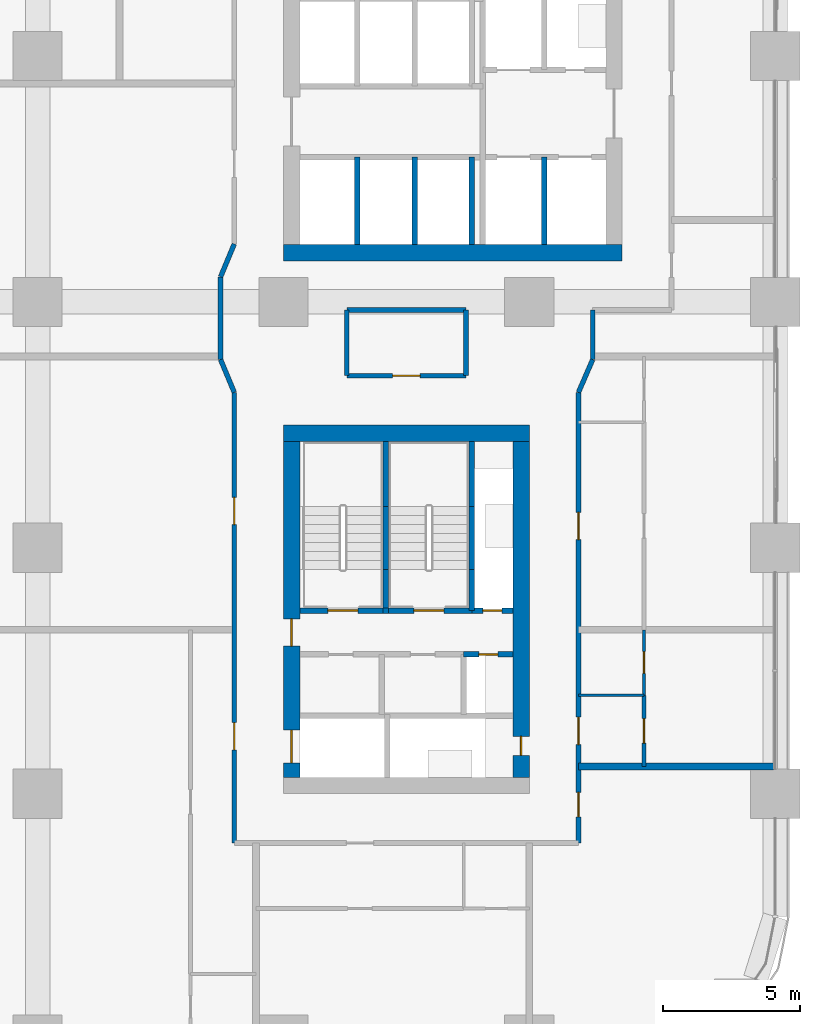
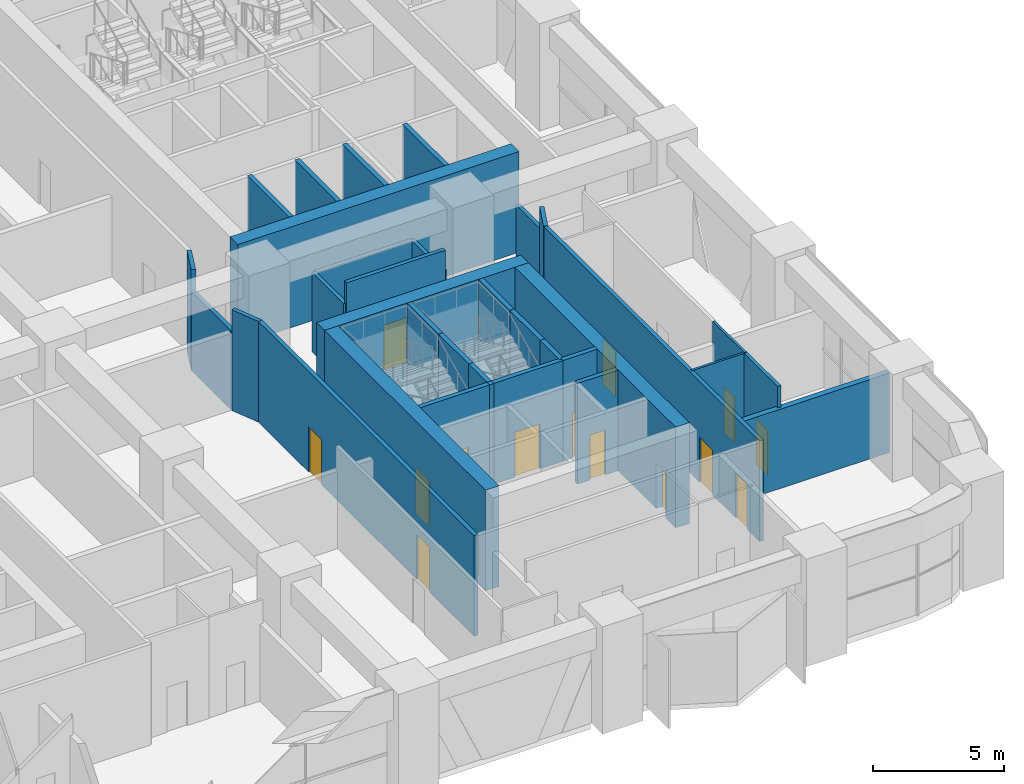
# One storey, part 17 of 26: 34 walls, 15 doors, 15 openings.
"""IFC4 building model written with IfcOpenShell, lengths in metres."""

from ifc_helpers import new_model, si_unit, direction, frame, frame_2d, origin, place, context, subcontext, project, spatial, rectangle, extrude, material, layer, layer_set, type_object, element, fill, save


model = new_model("IFC4")

# Units and contexts
model_context = context("Model", 3, precision=1e-05, world=origin(), true_north=direction((0.0, 1.0)))
body_context = subcontext(model_context, "Body", "Model", "MODEL_VIEW")
ifc_project = project(units=[si_unit("LENGTHUNIT", "METRE"), si_unit("AREAUNIT", "SQUARE_METRE"), si_unit("VOLUMEUNIT", "CUBIC_METRE"), si_unit("PLANEANGLEUNIT", "RADIAN"), si_unit("MASSUNIT", "GRAM", prefix="KILO")], contexts=[model_context])

# Site, building, storey
site_placement = place(None, origin())
site = spatial("IfcSite", under=ifc_project, at=site_placement, CompositionType="ELEMENT")
building_placement = place(site_placement, origin())
building = spatial("IfcBuilding", under=site, at=building_placement, Name="Tessera Arch", CompositionType="ELEMENT")
storey_placement = place(building_placement, frame((0.0, 0.0, 72.800048828125)))
storey = spatial("IfcBuildingStorey", under=building, at=storey_placement, Name="L16", CompositionType="ELEMENT", Elevation=72.800048828125)

# Walls
ifc_material_1 = material(Name="Concrete C70/85", Category="concrete")
ifc_layer_1 = layer(ifc_material_1, 0.60009765625)
ifc_layer_set_1 = layer_set([ifc_layer_1], Name="Core shell wall 600 C70-85")
wall_type_1 = type_object("IfcWallType", Name="Core shell wall 600 C70-85", PredefinedType="SHEAR", material=ifc_layer_set_1)
wall_1_placement = place(storey_placement, frame((36.0, 28.800048828125, 0.0), z_axis=(0.0, 0.0, 1.0), x_axis=(1.0, 0.0, 0.0)))
element("IfcWall", 1, at=wall_1_placement, inside=storey, type_object=wall_type_1, Name="L16 C1 core wall S", PredefinedType="SHEAR", context=body_context, shape_type="SweptSolid", body=[
    extrude(rectangle(XDim=12.39990234375, YDim=0.60009765625, at=frame_2d((6.199951171875, 0.0))), origin(), (0.0, 0.0, 1.0), 4.699951171875),
])
wall_2_placement = place(storey_placement, frame((36.0, 22.199951171875, 0.0), z_axis=(0.0, 0.0, 1.0), x_axis=(1.0, 0.0, 0.0)))
element("IfcWall", 2, at=wall_2_placement, inside=storey, type_object=wall_type_1, Name="L16 C3 core wall N", PredefinedType="SHEAR", context=body_context, shape_type="SweptSolid", body=[
    extrude(rectangle(XDim=9.0, YDim=0.60009765625, at=frame_2d((4.5, 0.0))), origin(), (0.0, 0.0, 1.0), 4.699951171875),
])

# Wall, openings, doors
wall_3_placement = place(storey_placement, frame((36.300048828125, 9.60009765625, 0.0), z_axis=(0.0, 0.0, 1.0), x_axis=(0.0, 1.0, 0.0)))
wall_3 = element("IfcWall", 3, at=wall_3_placement, inside=storey, type_object=wall_type_1, Name="L16 C3 core wall W", PredefinedType="SHEAR", context=body_context, shape_type="SweptSolid", body=[
    extrude(rectangle(XDim=12.2998046875, YDim=0.60009765625, at=frame_2d((6.14990234375, 0.0))), origin(), (0.0, 0.0, 1.0), 4.699951171875),
])
opening_1_placement = place(wall_3_placement, frame((0.52490234375, 0.0, 0.0)))
opening_1 = element("IfcOpeningElement", 4, at=opening_1_placement, cuts=wall_3, Name="Opening L16-C32", PredefinedType="OPENING", context=body_context, shape_type="SweptSolid", body=[
    extrude(rectangle(XDim=1.199951171875, YDim=2.10009765625, at=frame_2d((0.60009765625, 1.050048828125))), frame((0.0, 0.31005859375, 0.0), z_axis=(0.0, -1.0, 0.0), x_axis=(1.0, 0.0, 0.0)), (0.0, 0.0, 1.0), 0.6201171875),
])
opening_2_placement = place(wall_3_placement, frame((4.800048828125, 0.0, 0.0)))
opening_2 = element("IfcOpeningElement", 5, at=opening_2_placement, cuts=wall_3, Name="Opening L16-C38", PredefinedType="OPENING", context=body_context, shape_type="SweptSolid", body=[
    extrude(rectangle(XDim=1.0, YDim=2.10009765625, at=frame_2d((0.5, 1.050048828125))), frame((0.0, 0.31005859375, 0.0), z_axis=(0.0, -1.0, 0.0), x_axis=(1.0, 0.0, 0.0)), (0.0, 0.0, 1.0), 0.6201171875),
])
ifc_material_2 = material(Name="Steel door leaf", Category="steel")
door_type_1 = type_object("IfcDoorType", Name="Corridor door FD60 1000 x 2100", OperationType="SINGLE_SWING_LEFT", PredefinedType="DOOR", material=ifc_material_2)
door_1_placement = place(opening_2_placement, origin())
door_1 = element("IfcDoor", 6, at=door_1_placement, inside=storey, type_object=door_type_1, Name="L16 C3 door 7 C38 type D12", OperationType="SINGLE_SWING_LEFT", OverallHeight=2.10009765625, OverallWidth=1.0, PredefinedType="DOOR", context=body_context, shape_type="SweptSolid", body=[
    extrude(rectangle(XDim=1.0, YDim=2.10009765625, at=frame_2d((0.5, 1.050048828125))), frame((0.0, 0.02490234375, 0.0), z_axis=(0.0, -1.0, 0.0), x_axis=(1.0, 0.0, 0.0)), (0.0, 0.0, 1.0), 0.050048828125),
])
fill(opening_2, door_1)
ifc_material_3 = material(Name="Stainless steel AISI 304", Category="steel")
door_type_2 = type_object("IfcDoorType", Name="Sliding landing door 1200 x 2100", OperationType="SLIDING_TO_LEFT", PredefinedType="DOOR", material=ifc_material_3)
door_2_placement = place(opening_1_placement, origin())
door_2 = element("IfcDoor", 7, at=door_2_placement, inside=storey, type_object=door_type_2, Name="L16 SV1 lift landing door C32 type LD", OperationType="SLIDING_TO_LEFT", OverallHeight=2.10009765625, OverallWidth=1.199951171875, PredefinedType="DOOR", context=body_context, shape_type="SweptSolid", body=[
    extrude(rectangle(XDim=1.199951171875, YDim=2.10009765625, at=frame_2d((0.60009765625, 1.050048828125))), frame((0.0, 0.02490234375, 0.0), z_axis=(0.0, -1.0, 0.0), x_axis=(1.0, 0.0, 0.0)), (0.0, 0.0, 1.0), 0.050048828125),
])
fill(opening_1, door_2)

# Wall, opening, door
wall_4_placement = place(storey_placement, frame((44.699951171875, 9.60009765625, 0.0), z_axis=(0.0, 0.0, 1.0), x_axis=(0.0, 1.0, 0.0)))
wall_4 = element("IfcWall", 8, at=wall_4_placement, inside=storey, type_object=wall_type_1, Name="L16 C3 core wall E", PredefinedType="SHEAR", context=body_context, shape_type="SweptSolid", body=[
    extrude(rectangle(XDim=12.2998046875, YDim=0.60009765625, at=frame_2d((6.14990234375, 0.0))), origin(), (0.0, 0.0, 1.0), 4.699951171875),
])
opening_3_placement = place(wall_4_placement, frame((0.800048828125, 0.0, 0.0)))
opening_3 = element("IfcOpeningElement", 9, at=opening_3_placement, cuts=wall_4, Name="Opening L16-C37", PredefinedType="OPENING", context=body_context, shape_type="SweptSolid", body=[
    extrude(rectangle(XDim=0.699951171875, YDim=2.10009765625, at=frame_2d((0.35009765625, 1.050048828125))), frame((0.0, 0.31005859375, 0.0), z_axis=(0.0, -1.0, 0.0), x_axis=(1.0, 0.0, 0.0)), (0.0, 0.0, 1.0), 0.6201171875),
])
ifc_material_4 = material(Name="Steel door leaf", Category="steel")
door_type_3 = type_object("IfcDoorType", Name="Service shaft door FD60 700 x 2100", OperationType="SINGLE_SWING_LEFT", PredefinedType="DOOR", material=ifc_material_4)
door_3_placement = place(opening_3_placement, origin())
door_3 = element("IfcDoor", 10, at=door_3_placement, inside=storey, type_object=door_type_3, Name="L16 C3 door 6 C37 type D07", OperationType="SINGLE_SWING_LEFT", OverallHeight=2.10009765625, OverallWidth=0.699951171875, PredefinedType="DOOR", context=body_context, shape_type="SweptSolid", body=[
    extrude(rectangle(XDim=0.699951171875, YDim=2.10009765625, at=frame_2d((0.35009765625, 1.050048828125))), frame((0.0, 0.02490234375, 0.0), z_axis=(0.0, -1.0, 0.0), x_axis=(1.0, 0.0, 0.0)), (0.0, 0.0, 1.0), 0.050048828125),
])
fill(opening_3, door_3)

ifc_material_5 = material(Name="Gypsum board on deep steel stud with mineral wool", Category="steel")
ifc_layer_2 = layer(ifc_material_5, 0.175048828125)
ifc_layer_set_2 = layer_set([ifc_layer_2], Name="Corridor wall 175 EI 60")
wall_type_2 = type_object("IfcWallType", Name="Corridor wall 175 EI 60", PredefinedType="PARTITIONING", material=ifc_layer_set_2)
wall_5_placement = place(storey_placement, frame((38.320068359375, 24.300048828125, 0.0), z_axis=(0.0, 0.0, 1.0), x_axis=(1.0, 0.0, 0.0)))
wall_5 = element("IfcWall", 11, at=wall_5_placement, inside=storey, type_object=wall_type_2, Name="L16 partition 4", PredefinedType="PARTITIONING", context=body_context, shape_type="SweptSolid", body=[
    extrude(rectangle(XDim=4.35986328125, YDim=0.175048828125, at=frame_2d((2.179931640625, 0.0))), origin(), (0.0, 0.0, 1.0), 4.699951171875),
])
opening_4_placement = place(wall_5_placement, frame((1.679931640625, 0.0, 0.0)))
opening_4 = element("IfcOpeningElement", 12, at=opening_4_placement, cuts=wall_5, Name="Opening L16-D029", PredefinedType="OPENING", context=body_context, shape_type="SweptSolid", body=[
    extrude(rectangle(XDim=1.0, YDim=2.10009765625, at=frame_2d((0.5, 1.050048828125))), frame((0.0, 0.097412109375, 0.0), z_axis=(0.0, -1.0, 0.0), x_axis=(1.0, 0.0, 0.0)), (0.0, 0.0, 1.0), 0.195068359375),
])
ifc_material_6 = material(Name="Fire-rated door leaf")
door_type_4 = type_object("IfcDoorType", Name="Entrance door FD30S 1000 x 2100", OperationType="SINGLE_SWING_LEFT", PredefinedType="DOOR", material=ifc_material_6)
door_4_placement = place(opening_4_placement, origin())
door_4 = element("IfcDoor", 13, at=door_4_placement, inside=storey, type_object=door_type_4, Name="L16 door D029 type D03", OperationType="SINGLE_SWING_LEFT", OverallHeight=2.10009765625, OverallWidth=1.0, PredefinedType="DOOR", context=body_context, shape_type="SweptSolid", body=[
    extrude(rectangle(XDim=1.0, YDim=2.10009765625, at=frame_2d((0.5, 1.050048828125))), frame((0.0, 0.02490234375, 0.0), z_axis=(0.0, -1.0, 0.0), x_axis=(1.0, 0.0, 0.0)), (0.0, 0.0, 1.0), 0.050048828125),
])
fill(opening_4, door_4)

# Walls
wall_6_placement = place(storey_placement, frame((38.320068359375, 26.699951171875, 0.0), z_axis=(0.0, 0.0, 1.0), x_axis=(1.0, 0.0, 0.0)))
element("IfcWall", 14, at=wall_6_placement, inside=storey, type_object=wall_type_2, Name="L16 partition 7", PredefinedType="PARTITIONING", context=body_context, shape_type="SweptSolid", body=[
    extrude(rectangle(XDim=4.35986328125, YDim=0.175048828125, at=frame_2d((2.179931640625, 0.0))), origin(), (0.0, 0.0, 1.0), 3.699951171875),
])
wall_7_placement = place(storey_placement, frame((33.699951171875, 24.889892578125, 0.0), z_axis=(0.0, 0.0, 1.0), x_axis=(0.0, 1.0, 0.0)))
element("IfcWall", 15, at=wall_7_placement, inside=storey, type_object=wall_type_2, Name="L16 partition 19", PredefinedType="PARTITIONING", context=body_context, shape_type="SweptSolid", body=[
    extrude(rectangle(XDim=3.030029296875, YDim=0.175048828125, at=frame_2d((1.51513671875, 0.0))), origin(), (0.0, 0.0, 1.0), 3.699951171875),
])

# Wall, openings, doors
wall_8_placement = place(storey_placement, frame((34.199951171875, 7.199951171875, 0.0), z_axis=(0.0, 0.0, 1.0), x_axis=(0.0, 1.0, 0.0)))
wall_8 = element("IfcWall", 16, at=wall_8_placement, inside=storey, type_object=wall_type_2, Name="L16 partition 20", PredefinedType="PARTITIONING", context=body_context, shape_type="SweptSolid", body=[
    extrude(rectangle(XDim=16.489990234375, YDim=0.175048828125, at=frame_2d((8.2451171875, 0.0))), origin(), (0.0, 0.0, 1.0), 4.699951171875),
])
opening_5_placement = place(wall_8_placement, frame((3.39990234375, 0.0, 0.0)))
opening_5 = element("IfcOpeningElement", 17, at=opening_5_placement, cuts=wall_8, Name="Opening L16-D012", PredefinedType="OPENING", context=body_context, shape_type="SweptSolid", body=[
    extrude(rectangle(XDim=1.0, YDim=2.10009765625, at=frame_2d((0.5, 1.050048828125))), frame((0.0, 0.097412109375, 0.0), z_axis=(0.0, -1.0, 0.0), x_axis=(1.0, 0.0, 0.0)), (0.0, 0.0, 1.0), 0.195068359375),
])
opening_6_placement = place(wall_8_placement, frame((11.64501953125, 0.0, 0.0)))
opening_6 = element("IfcOpeningElement", 18, at=opening_6_placement, cuts=wall_8, Name="Opening L16-D023", PredefinedType="OPENING", context=body_context, shape_type="SweptSolid", body=[
    extrude(rectangle(XDim=1.0, YDim=2.10009765625, at=frame_2d((0.5, 1.050048828125))), frame((0.0, 0.097412109375, 0.0), z_axis=(0.0, -1.0, 0.0), x_axis=(1.0, 0.0, 0.0)), (0.0, 0.0, 1.0), 0.195068359375),
])
door_5_placement = place(opening_5_placement, origin())
door_5 = element("IfcDoor", 19, at=door_5_placement, inside=storey, type_object=door_type_4, Name="L16 door D012 type D03", OperationType="SINGLE_SWING_RIGHT", OverallHeight=2.10009765625, OverallWidth=1.0, PredefinedType="DOOR", context=body_context, shape_type="SweptSolid", body=[
    extrude(rectangle(XDim=1.0, YDim=2.10009765625, at=frame_2d((0.5, 1.050048828125))), frame((0.0, 0.02490234375, 0.0), z_axis=(0.0, -1.0, 0.0), x_axis=(1.0, 0.0, 0.0)), (0.0, 0.0, 1.0), 0.050048828125),
])
fill(opening_5, door_5)
door_6_placement = place(opening_6_placement, origin())
door_6 = element("IfcDoor", 20, at=door_6_placement, inside=storey, type_object=door_type_4, Name="L16 door D023 type D03", OperationType="SINGLE_SWING_LEFT", OverallHeight=2.10009765625, OverallWidth=1.0, PredefinedType="DOOR", context=body_context, shape_type="SweptSolid", body=[
    extrude(rectangle(XDim=1.0, YDim=2.10009765625, at=frame_2d((0.5, 1.050048828125))), frame((0.0, 0.02490234375, 0.0), z_axis=(0.0, -1.0, 0.0), x_axis=(1.0, 0.0, 0.0)), (0.0, 0.0, 1.0), 0.050048828125),
])
fill(opening_6, door_6)

# Walls
for number, where, z_axis, x_axis, name in (
    (21, (38.320068359375, 24.300048828125, 0.0), (0.0, 0.0, 1.0), (0.0, 1.0, 0.0), "L16 partition 22"),
    (22, (42.679931640625, 24.300048828125, 0.0), (0.0, 0.0, 1.0), (0.0, 1.0, 0.0), "L16 partition 23"),
):
    element("IfcWall", number, at=place(storey_placement, frame(where, z_axis=z_axis, x_axis=x_axis)), inside=storey, type_object=wall_type_2, Name=name, PredefinedType="PARTITIONING", context=body_context, shape_type="SweptSolid", body=[
        extrude(rectangle(XDim=2.39990234375, YDim=0.175048828125, at=frame_2d((1.199951171875, 0.0))), origin(), (0.0, 0.0, 1.0), 3.699951171875),
    ])

# Wall, openings, doors
wall_9_placement = place(storey_placement, frame((46.800048828125, 7.199951171875, 0.0), z_axis=(0.0, 0.0, 1.0), x_axis=(0.0, 1.0, 0.0)))
wall_9 = element("IfcWall", 23, at=wall_9_placement, inside=storey, type_object=wall_type_2, Name="L16 partition 24", PredefinedType="PARTITIONING", context=body_context, shape_type="SweptSolid", body=[
    extrude(rectangle(XDim=16.489990234375, YDim=0.175048828125, at=frame_2d((8.2451171875, 0.0))), origin(), (0.0, 0.0, 1.0), 4.699951171875),
])
opening_7_placement = place(wall_9_placement, frame((0.949951171875, 0.0, 0.0)))
opening_7 = element("IfcOpeningElement", 24, at=opening_7_placement, cuts=wall_9, Name="Opening L16-D011", PredefinedType="OPENING", context=body_context, shape_type="SweptSolid", body=[
    extrude(rectangle(XDim=0.89990234375, YDim=2.10009765625, at=frame_2d((0.449951171875, 1.050048828125))), frame((0.0, 0.097412109375, 0.0), z_axis=(0.0, -1.0, 0.0), x_axis=(1.0, 0.0, 0.0)), (0.0, 0.0, 1.0), 0.195068359375),
])
opening_8_placement = place(wall_9_placement, frame((3.60009765625, 0.0, 0.0)))
opening_8 = element("IfcOpeningElement", 25, at=opening_8_placement, cuts=wall_9, Name="Opening L16-D016", PredefinedType="OPENING", context=body_context, shape_type="SweptSolid", body=[
    extrude(rectangle(XDim=1.0, YDim=2.10009765625, at=frame_2d((0.5, 1.050048828125))), frame((0.0, 0.097412109375, 0.0), z_axis=(0.0, -1.0, 0.0), x_axis=(1.0, 0.0, 0.0)), (0.0, 0.0, 1.0), 0.195068359375),
])
opening_9_placement = place(wall_9_placement, frame((11.10009765625, 0.0, 0.0)))
opening_9 = element("IfcOpeningElement", 26, at=opening_9_placement, cuts=wall_9, Name="Opening L16-D024", PredefinedType="OPENING", context=body_context, shape_type="SweptSolid", body=[
    extrude(rectangle(XDim=1.0, YDim=2.10009765625, at=frame_2d((0.5, 1.050048828125))), frame((0.0, 0.097412109375, 0.0), z_axis=(0.0, -1.0, 0.0), x_axis=(1.0, 0.0, 0.0)), (0.0, 0.0, 1.0), 0.195068359375),
])
door_7_placement = place(opening_8_placement, origin())
door_7 = element("IfcDoor", 27, at=door_7_placement, inside=storey, type_object=door_type_4, Name="L16 door D016 type D03", OperationType="SINGLE_SWING_LEFT", OverallHeight=2.10009765625, OverallWidth=1.0, PredefinedType="DOOR", context=body_context, shape_type="SweptSolid", body=[
    extrude(rectangle(XDim=1.0, YDim=2.10009765625, at=frame_2d((0.5, 1.050048828125))), frame((0.0, 0.02490234375, 0.0), z_axis=(0.0, -1.0, 0.0), x_axis=(1.0, 0.0, 0.0)), (0.0, 0.0, 1.0), 0.050048828125),
])
fill(opening_8, door_7)
door_8_placement = place(opening_9_placement, origin())
door_8 = element("IfcDoor", 28, at=door_8_placement, inside=storey, type_object=door_type_4, Name="L16 door D024 type D03", OperationType="SINGLE_SWING_LEFT", OverallHeight=2.10009765625, OverallWidth=1.0, PredefinedType="DOOR", context=body_context, shape_type="SweptSolid", body=[
    extrude(rectangle(XDim=1.0, YDim=2.10009765625, at=frame_2d((0.5, 1.050048828125))), frame((0.0, 0.02490234375, 0.0), z_axis=(0.0, -1.0, 0.0), x_axis=(1.0, 0.0, 0.0)), (0.0, 0.0, 1.0), 0.050048828125),
])
fill(opening_9, door_8)
ifc_material_7 = material(Name="Timber door leaf", Category="wood")
door_type_5 = type_object("IfcDoorType", Name="Room door 900 x 2100", OperationType="SINGLE_SWING_LEFT", PredefinedType="DOOR", material=ifc_material_7)
door_9_placement = place(opening_7_placement, origin())
door_9 = element("IfcDoor", 29, at=door_9_placement, inside=storey, type_object=door_type_5, Name="L16 door D011 type D01", OperationType="SINGLE_SWING_RIGHT", OverallHeight=2.10009765625, OverallWidth=0.89990234375, PredefinedType="DOOR", context=body_context, shape_type="SweptSolid", body=[
    extrude(rectangle(XDim=0.89990234375, YDim=2.10009765625, at=frame_2d((0.449951171875, 1.050048828125))), frame((0.0, 0.02490234375, 0.0), z_axis=(0.0, -1.0, 0.0), x_axis=(1.0, 0.0, 0.0)), (0.0, 0.0, 1.0), 0.050048828125),
])
fill(opening_7, door_9)

# Walls
wall_10_placement = place(storey_placement, frame((47.320068359375, 24.889892578125, 0.0), z_axis=(0.0, 0.0, 1.0), x_axis=(0.0, 1.0, 0.0)))
element("IfcWall", 30, at=wall_10_placement, inside=storey, type_object=wall_type_2, Name="L16 partition 25", PredefinedType="PARTITIONING", context=body_context, shape_type="SweptSolid", body=[
    extrude(rectangle(XDim=1.81005859375, YDim=0.175048828125, at=frame_2d((0.905029296875, 0.0))), origin(), (0.0, 0.0, 1.0), 3.699951171875),
])
wall_11_placement = place(storey_placement, frame((34.199951171875, 23.68994140625, 0.0), z_axis=(0.0, 0.0, 1.0), x_axis=(-0.384628719983, 0.923071366561, 0.0)))
element("IfcWall", 31, at=wall_11_placement, inside=storey, type_object=wall_type_2, Name="L16 partition 76", PredefinedType="PARTITIONING", context=body_context, shape_type="SweptSolid", body=[
    extrude(rectangle(XDim=1.300048828125, YDim=0.175048828125, at=frame_2d((0.64990234375, 0.0))), origin(), (0.0, 0.0, 1.0), 4.699951171875),
])
wall_12_placement = place(storey_placement, frame((47.320068359375, 24.889892578125, 0.0), z_axis=(0.0, 0.0, 1.0), x_axis=(-0.397633632391, -0.917544273804, 0.0)))
element("IfcWall", 32, at=wall_12_placement, inside=storey, type_object=wall_type_2, Name="L16 partition 77", PredefinedType="PARTITIONING", context=body_context, shape_type="SweptSolid", body=[
    extrude(rectangle(XDim=1.307861328125, YDim=0.175048828125, at=frame_2d((0.65380859375, 0.0))), origin(), (0.0, 0.0, 1.0), 4.699951171875),
])
wall_13_placement = place(storey_placement, frame((33.699951171875, 27.919921875, 0.0), z_axis=(0.0, 0.0, 1.0), x_axis=(0.384562051588, 0.923099143363, 0.0)))
element("IfcWall", 33, at=wall_13_placement, inside=storey, type_object=wall_type_2, Name="L16 partition 78", PredefinedType="PARTITIONING", context=body_context, shape_type="SweptSolid", body=[
    extrude(rectangle(XDim=1.30029296875, YDim=0.175048828125, at=frame_2d((0.650146484375, 0.0))), origin(), (0.0, 0.0, 1.0), 4.699951171875),
])

# Wall, opening, door
ifc_material_8 = material(Name="Gypsum board on steel stud", Category="steel")
ifc_layer_3 = layer(ifc_material_8, 0.14990234375)
ifc_layer_set_3 = layer_set([ifc_layer_3], Name="Partition 150")
wall_type_3 = type_object("IfcWallType", Name="Partition 150", PredefinedType="PARTITIONING", material=ifc_layer_set_3)
wall_14_placement = place(storey_placement, frame((49.199951171875, 10.0, 0.0), z_axis=(0.0, 0.0, 1.0), x_axis=(0.0, 1.0, 0.0)))
wall_14 = element("IfcWall", 34, at=wall_14_placement, inside=storey, type_object=wall_type_3, Name="L16 partition 32", PredefinedType="PARTITIONING", context=body_context, shape_type="SweptSolid", body=[
    extrude(rectangle(XDim=2.60009765625, YDim=0.14990234375, at=frame_2d((1.300048828125, 0.0))), origin(), (0.0, 0.0, 1.0), 4.699951171875),
])
opening_10_placement = place(wall_14_placement, frame((0.85009765625, 0.0, 0.0)))
opening_10 = element("IfcOpeningElement", 35, at=opening_10_placement, cuts=wall_14, Name="Opening L16-D017", PredefinedType="OPENING", context=body_context, shape_type="SweptSolid", body=[
    extrude(rectangle(XDim=0.89990234375, YDim=2.10009765625, at=frame_2d((0.449951171875, 1.050048828125))), frame((0.0, 0.0849609375, 0.0), z_axis=(0.0, -1.0, 0.0), x_axis=(1.0, 0.0, 0.0)), (0.0, 0.0, 1.0), 0.169921875),
])
door_10_placement = place(opening_10_placement, origin())
door_10 = element("IfcDoor", 36, at=door_10_placement, inside=storey, type_object=door_type_5, Name="L16 door D017 type D01", OperationType="SINGLE_SWING_RIGHT", OverallHeight=2.10009765625, OverallWidth=0.89990234375, PredefinedType="DOOR", context=body_context, shape_type="SweptSolid", body=[
    extrude(rectangle(XDim=0.89990234375, YDim=2.10009765625, at=frame_2d((0.449951171875, 1.050048828125))), frame((0.0, 0.02490234375, 0.0), z_axis=(0.0, -1.0, 0.0), x_axis=(1.0, 0.0, 0.0)), (0.0, 0.0, 1.0), 0.050048828125),
])
fill(opening_10, door_10)

# Walls
ifc_material_9 = material(Name="Double gypsum board on twin steel stud with acoustic mineral wool", Category="steel")
ifc_layer_4 = layer(ifc_material_9, 0.25)
ifc_layer_set_4 = layer_set([ifc_layer_4], Name="Party wall 250 EI 60")
wall_type_4 = type_object("IfcWallType", Name="Party wall 250 EI 60", PredefinedType="PARTITIONING", material=ifc_layer_set_4)
wall_15_placement = place(storey_placement, frame((46.800048828125, 10.0, 0.0), z_axis=(0.0, 0.0, 1.0), x_axis=(1.0, 0.0, 0.0)))
element("IfcWall", 37, at=wall_15_placement, inside=storey, type_object=wall_type_4, Name="L16 partition 36", PredefinedType="PARTITIONING", context=body_context, shape_type="SweptSolid", body=[
    extrude(rectangle(XDim=7.199951171875, YDim=0.25, at=frame_2d((3.60009765625, 0.0))), origin(), (0.0, 0.0, 1.0), 3.699951171875),
])
ifc_material_10 = material(Name="Concrete C40/50", Category="concrete")
ifc_layer_5 = layer(ifc_material_10, 0.199951171875)
ifc_layer_set_5 = layer_set([ifc_layer_5], Name="Shaft wall 200 EI 120")
wall_type_5 = type_object("IfcWallType", Name="Shaft wall 200 EI 120", PredefinedType="SOLIDWALL", material=ifc_layer_set_5)
for number, where, z_axis, x_axis, name in (
    (38, (38.699951171875, 29.10009765625, 0.0), (0.0, 0.0, 1.0), (0.0, 1.0, 0.0), "L16 C1 shaft wall 1"),
    (39, (40.800048828125, 29.10009765625, 0.0), (0.0, 0.0, 1.0), (0.0, 1.0, 0.0), "L16 C1 shaft wall 6"),
    (40, (42.89990234375, 29.10009765625, 0.0), (0.0, 0.0, 1.0), (0.0, 1.0, 0.0), "L16 C1 shaft wall 9"),
    (41, (45.550048828125, 29.10009765625, 0.0), (0.0, 0.0, 1.0), (0.0, 1.0, 0.0), "L16 C1 shaft wall 15"),
):
    element("IfcWall", number, at=place(storey_placement, frame(where, z_axis=z_axis, x_axis=x_axis)), inside=storey, type_object=wall_type_5, Name=name, PredefinedType="SOLIDWALL", context=body_context, shape_type="SweptSolid", body=[
        extrude(rectangle(XDim=3.199951171875, YDim=0.199951171875, at=frame_2d((1.60009765625, 0.0))), origin(), (0.0, 0.0, 1.0), 4.699951171875),
    ])

# Wall, opening, door
wall_16_placement = place(storey_placement, frame((42.60009765625, 14.10009765625, 0.0), z_axis=(0.0, 0.0, 1.0), x_axis=(1.0, 0.0, 0.0)))
wall_16 = element("IfcWall", 42, at=wall_16_placement, inside=storey, type_object=wall_type_5, Name="L16 C3 shaft wall 12", PredefinedType="SOLIDWALL", context=body_context, shape_type="SweptSolid", body=[
    extrude(rectangle(XDim=1.7998046875, YDim=0.199951171875, at=frame_2d((0.89990234375, 0.0))), origin(), (0.0, 0.0, 1.0), 4.699951171875),
])
opening_11_placement = place(wall_16_placement, frame((0.550048828125, 0.0, 0.0)))
opening_11 = element("IfcOpeningElement", 43, at=opening_11_placement, cuts=wall_16, Name="Opening L16-C36", PredefinedType="OPENING", context=body_context, shape_type="SweptSolid", body=[
    extrude(rectangle(XDim=0.699951171875, YDim=2.10009765625, at=frame_2d((0.35009765625, 1.050048828125))), frame((0.0, 0.10986328125, 0.0), z_axis=(0.0, -1.0, 0.0), x_axis=(1.0, 0.0, 0.0)), (0.0, 0.0, 1.0), 0.219970703125),
])
door_11_placement = place(opening_11_placement, origin())
door_11 = element("IfcDoor", 44, at=door_11_placement, inside=storey, type_object=door_type_3, Name="L16 C3 door 5 C36 type D07", OperationType="SINGLE_SWING_RIGHT", OverallHeight=2.10009765625, OverallWidth=0.699951171875, PredefinedType="DOOR", context=body_context, shape_type="SweptSolid", body=[
    extrude(rectangle(XDim=0.699951171875, YDim=2.10009765625, at=frame_2d((0.35009765625, 1.050048828125))), frame((0.0, 0.02490234375, 0.0), z_axis=(0.0, -1.0, 0.0), x_axis=(1.0, 0.0, 0.0)), (0.0, 0.0, 1.0), 0.050048828125),
])
fill(opening_11, door_11)

wall_17_placement = place(storey_placement, frame((42.89990234375, 15.699951171875, 0.0), z_axis=(0.0, 0.0, 1.0), x_axis=(1.0, 0.0, 0.0)))
wall_17 = element("IfcWall", 45, at=wall_17_placement, inside=storey, type_object=wall_type_5, Name="L16 C3 shaft wall 13", PredefinedType="SOLIDWALL", context=body_context, shape_type="SweptSolid", body=[
    extrude(rectangle(XDim=1.5, YDim=0.199951171875, at=frame_2d((0.75, 0.0))), origin(), (0.0, 0.0, 1.0), 4.699951171875),
])
opening_12_placement = place(wall_17_placement, frame((0.39990234375, 0.0, 0.0)))
opening_12 = element("IfcOpeningElement", 46, at=opening_12_placement, cuts=wall_17, Name="Opening L16-C35", PredefinedType="OPENING", context=body_context, shape_type="SweptSolid", body=[
    extrude(rectangle(XDim=0.699951171875, YDim=2.10009765625, at=frame_2d((0.35009765625, 1.050048828125))), frame((0.0, 0.10986328125, 0.0), z_axis=(0.0, -1.0, 0.0), x_axis=(1.0, 0.0, 0.0)), (0.0, 0.0, 1.0), 0.219970703125),
])
door_12_placement = place(opening_12_placement, origin())
door_12 = element("IfcDoor", 47, at=door_12_placement, inside=storey, type_object=door_type_3, Name="L16 C3 door 4 C35 type D07", OperationType="SINGLE_SWING_LEFT", OverallHeight=2.10009765625, OverallWidth=0.699951171875, PredefinedType="DOOR", context=body_context, shape_type="SweptSolid", body=[
    extrude(rectangle(XDim=0.699951171875, YDim=2.10009765625, at=frame_2d((0.35009765625, 1.050048828125))), frame((0.0, 0.02490234375, 0.0), z_axis=(0.0, -1.0, 0.0), x_axis=(1.0, 0.0, 0.0)), (0.0, 0.0, 1.0), 0.050048828125),
])
fill(opening_12, door_12)

# Walls
ifc_material_11 = material(Name="Concrete C40/50", Category="concrete")
ifc_layer_6 = layer(ifc_material_11, 0.199951171875)
ifc_layer_set_6 = layer_set([ifc_layer_6], Name="Stair well wall 200 REI 180")
wall_type_6 = type_object("IfcWallType", Name="Stair well wall 200 REI 180", PredefinedType="SOLIDWALL", material=ifc_layer_set_6)
wall_18_placement = place(storey_placement, frame((39.75, 15.699951171875, 0.0), z_axis=(0.0, 0.0, 1.0), x_axis=(0.0, 1.0, 0.0)))
element("IfcWall", 48, at=wall_18_placement, inside=storey, type_object=wall_type_6, Name="L16 C3 shaft wall 2", PredefinedType="SOLIDWALL", context=body_context, shape_type="SweptSolid", body=[
    extrude(rectangle(XDim=1.5, YDim=0.199951171875, at=frame_2d((0.75, 0.0))), origin(), (0.0, 0.0, 1.0), 4.699951171875),
])
wall_19_placement = place(storey_placement, frame((39.75, 17.199951171875, 0.0), z_axis=(0.0, 0.0, 1.0), x_axis=(0.0, 1.0, 0.0)))
element("IfcWall", 49, at=wall_19_placement, inside=storey, type_object=wall_type_6, Name="L16 C3 shaft wall 3", PredefinedType="SOLIDWALL", context=body_context, shape_type="SweptSolid", body=[
    extrude(rectangle(XDim=2.31005859375, YDim=0.199951171875, at=frame_2d((1.155029296875, 0.0))), origin(), (0.0, 0.0, 1.0), 4.699951171875),
])
wall_20_placement = place(storey_placement, frame((39.75, 19.510009765625, 0.0), z_axis=(0.0, 0.0, 1.0), x_axis=(0.0, 1.0, 0.0)))
element("IfcWall", 50, at=wall_20_placement, inside=storey, type_object=wall_type_6, Name="L16 C3 shaft wall 4", PredefinedType="SOLIDWALL", context=body_context, shape_type="SweptSolid", body=[
    extrude(rectangle(XDim=2.389892578125, YDim=0.199951171875, at=frame_2d((1.19482421875, 0.0))), origin(), (0.0, 0.0, 1.0), 4.699951171875),
])
wall_21_placement = place(storey_placement, frame((42.89990234375, 15.699951171875, 0.0), z_axis=(0.0, 0.0, 1.0), x_axis=(0.0, 1.0, 0.0)))
element("IfcWall", 51, at=wall_21_placement, inside=storey, type_object=wall_type_6, Name="L16 C3 shaft wall 7", PredefinedType="SOLIDWALL", context=body_context, shape_type="SweptSolid", body=[
    extrude(rectangle(XDim=1.5, YDim=0.199951171875, at=frame_2d((0.75, 0.0))), origin(), (0.0, 0.0, 1.0), 4.699951171875),
])
wall_22_placement = place(storey_placement, frame((42.89990234375, 17.199951171875, 0.0), z_axis=(0.0, 0.0, 1.0), x_axis=(0.0, 1.0, 0.0)))
element("IfcWall", 52, at=wall_22_placement, inside=storey, type_object=wall_type_6, Name="L16 C3 shaft wall 8", PredefinedType="SOLIDWALL", context=body_context, shape_type="SweptSolid", body=[
    extrude(rectangle(XDim=2.31005859375, YDim=0.199951171875, at=frame_2d((1.155029296875, 0.0))), origin(), (0.0, 0.0, 1.0), 4.699951171875),
])
wall_23_placement = place(storey_placement, frame((42.89990234375, 19.510009765625, 0.0), z_axis=(0.0, 0.0, 1.0), x_axis=(0.0, 1.0, 0.0)))
element("IfcWall", 53, at=wall_23_placement, inside=storey, type_object=wall_type_6, Name="L16 C3 shaft wall 9", PredefinedType="SOLIDWALL", context=body_context, shape_type="SweptSolid", body=[
    extrude(rectangle(XDim=2.389892578125, YDim=0.199951171875, at=frame_2d((1.19482421875, 0.0))), origin(), (0.0, 0.0, 1.0), 4.699951171875),
])

# Wall, opening, door
wall_24_placement = place(storey_placement, frame((36.60009765625, 15.699951171875, 0.0), z_axis=(0.0, 0.0, 1.0), x_axis=(1.0, 0.0, 0.0)))
wall_24 = element("IfcWall", 54, at=wall_24_placement, inside=storey, type_object=wall_type_6, Name="L16 C3 shaft wall 14", PredefinedType="SOLIDWALL", context=body_context, shape_type="SweptSolid", body=[
    extrude(rectangle(XDim=3.0498046875, YDim=0.199951171875, at=frame_2d((1.52490234375, 0.0))), origin(), (0.0, 0.0, 1.0), 4.699951171875),
])
opening_13_placement = place(wall_24_placement, frame((1.02490234375, 0.0, 0.0)))
opening_13 = element("IfcOpeningElement", 55, at=opening_13_placement, cuts=wall_24, Name="Opening L16-C33", PredefinedType="OPENING", context=body_context, shape_type="SweptSolid", body=[
    extrude(rectangle(XDim=1.10009765625, YDim=2.10009765625, at=frame_2d((0.550048828125, 1.050048828125))), frame((0.0, 0.10986328125, 0.0), z_axis=(0.0, -1.0, 0.0), x_axis=(1.0, 0.0, 0.0)), (0.0, 0.0, 1.0), 0.219970703125),
])
ifc_material_12 = material(Name="Steel door leaf", Category="steel")
door_type_6 = type_object("IfcDoorType", Name="Stair door FD60 1100 x 2100", OperationType="SINGLE_SWING_LEFT", PredefinedType="DOOR", material=ifc_material_12)
door_13_placement = place(opening_13_placement, origin())
door_13 = element("IfcDoor", 56, at=door_13_placement, inside=storey, type_object=door_type_6, Name="L16 C3 door 2 C33 type D05", OperationType="SINGLE_SWING_RIGHT", OverallHeight=2.10009765625, OverallWidth=1.10009765625, PredefinedType="DOOR", context=body_context, shape_type="SweptSolid", body=[
    extrude(rectangle(XDim=1.10009765625, YDim=2.10009765625, at=frame_2d((0.550048828125, 1.050048828125))), frame((0.0, 0.02490234375, 0.0), z_axis=(0.0, -1.0, 0.0), x_axis=(1.0, 0.0, 0.0)), (0.0, 0.0, 1.0), 0.050048828125),
])
fill(opening_13, door_13)

# Wall
wall_25_placement = place(storey_placement, frame((39.64990234375, 15.699951171875, 0.0), z_axis=(0.0, 0.0, 1.0), x_axis=(1.0, 0.0, 0.0)))
element("IfcWall", 57, at=wall_25_placement, inside=storey, type_object=wall_type_6, Name="L16 C3 shaft wall 15", PredefinedType="SOLIDWALL", context=body_context, shape_type="SweptSolid", body=[
    extrude(rectangle(XDim=0.2001953125, YDim=0.199951171875, at=frame_2d((0.10009765625, 0.0))), origin(), (0.0, 0.0, 1.0), 4.699951171875),
])

# Wall, opening, door
wall_26_placement = place(storey_placement, frame((39.85009765625, 15.699951171875, 0.0), z_axis=(0.0, 0.0, 1.0), x_axis=(1.0, 0.0, 0.0)))
wall_26 = element("IfcWall", 58, at=wall_26_placement, inside=storey, type_object=wall_type_6, Name="L16 C3 shaft wall 16", PredefinedType="SOLIDWALL", context=body_context, shape_type="SweptSolid", body=[
    extrude(rectangle(XDim=3.0498046875, YDim=0.199951171875, at=frame_2d((1.52490234375, 0.0))), origin(), (0.0, 0.0, 1.0), 4.699951171875),
])
opening_14_placement = place(wall_26_placement, frame((0.925048828125, 0.0, 0.0)))
opening_14 = element("IfcOpeningElement", 59, at=opening_14_placement, cuts=wall_26, Name="Opening L16-C34", PredefinedType="OPENING", context=body_context, shape_type="SweptSolid", body=[
    extrude(rectangle(XDim=1.10009765625, YDim=2.10009765625, at=frame_2d((0.550048828125, 1.050048828125))), frame((0.0, 0.10986328125, 0.0), z_axis=(0.0, -1.0, 0.0), x_axis=(1.0, 0.0, 0.0)), (0.0, 0.0, 1.0), 0.219970703125),
])
door_14_placement = place(opening_14_placement, origin())
door_14 = element("IfcDoor", 60, at=door_14_placement, inside=storey, type_object=door_type_6, Name="L16 C3 door 3 C34 type D05", OperationType="SINGLE_SWING_LEFT", OverallHeight=2.10009765625, OverallWidth=1.10009765625, PredefinedType="DOOR", context=body_context, shape_type="SweptSolid", body=[
    extrude(rectangle(XDim=1.10009765625, YDim=2.10009765625, at=frame_2d((0.550048828125, 1.050048828125))), frame((0.0, 0.02490234375, 0.0), z_axis=(0.0, -1.0, 0.0), x_axis=(1.0, 0.0, 0.0)), (0.0, 0.0, 1.0), 0.050048828125),
])
fill(opening_14, door_14)

# Wall
ifc_material_13 = material(Name="Moisture-resistant board on pre-plumbed steel stud", Category="steel")
ifc_layer_7 = layer(ifc_material_13, 0.10009765625)
ifc_layer_set_7 = layer_set([ifc_layer_7], Name="Wet wall 100")
wall_type_7 = type_object("IfcWallType", Name="Wet wall 100", PredefinedType="PARTITIONING", material=ifc_layer_set_7)
wall_27_placement = place(storey_placement, frame((46.800048828125, 12.60009765625, 0.0), z_axis=(0.0, 0.0, 1.0), x_axis=(1.0, 0.0, 0.0)))
element("IfcWall", 61, at=wall_27_placement, inside=storey, type_object=wall_type_7, Name="L16 partition 67", PredefinedType="PARTITIONING", context=body_context, shape_type="SweptSolid", body=[
    extrude(rectangle(XDim=2.39990234375, YDim=0.10009765625, at=frame_2d((1.199951171875, 0.0))), origin(), (0.0, 0.0, 1.0), 4.699951171875),
])

# Wall, opening, door
wall_28_placement = place(storey_placement, frame((49.199951171875, 12.60009765625, 0.0), z_axis=(0.0, 0.0, 1.0), x_axis=(0.0, 1.0, 0.0)))
wall_28 = element("IfcWall", 62, at=wall_28_placement, inside=storey, type_object=wall_type_7, Name="L16 partition 74", PredefinedType="PARTITIONING", context=body_context, shape_type="SweptSolid", body=[
    extrude(rectangle(XDim=2.39990234375, YDim=0.10009765625, at=frame_2d((1.199951171875, 0.0))), origin(), (0.0, 0.0, 1.0), 4.699951171875),
])
opening_15_placement = place(wall_28_placement, frame((0.800048828125, 0.0, 0.0)))
opening_15 = element("IfcOpeningElement", 63, at=opening_15_placement, cuts=wall_28, Name="Opening L16-D018", PredefinedType="OPENING", context=body_context, shape_type="SweptSolid", body=[
    extrude(rectangle(XDim=0.800048828125, YDim=2.10009765625, at=frame_2d((0.39990234375, 1.050048828125))), frame((0.0, 0.06005859375, 0.0), z_axis=(0.0, -1.0, 0.0), x_axis=(1.0, 0.0, 0.0)), (0.0, 0.0, 1.0), 0.1201171875),
])
ifc_material_14 = material(Name="Timber door leaf", Category="wood")
door_type_7 = type_object("IfcDoorType", Name="En-suite door 800 x 2100", OperationType="SINGLE_SWING_LEFT", PredefinedType="DOOR", material=ifc_material_14)
door_15_placement = place(opening_15_placement, origin())
door_15 = element("IfcDoor", 64, at=door_15_placement, inside=storey, type_object=door_type_7, Name="L16 door D018 type D02", OperationType="SINGLE_SWING_LEFT", OverallHeight=2.10009765625, OverallWidth=0.800048828125, PredefinedType="DOOR", context=body_context, shape_type="SweptSolid", body=[
    extrude(rectangle(XDim=0.800048828125, YDim=2.10009765625, at=frame_2d((0.39990234375, 1.050048828125))), frame((0.0, 0.02490234375, 0.0), z_axis=(0.0, -1.0, 0.0), x_axis=(1.0, 0.0, 0.0)), (0.0, 0.0, 1.0), 0.050048828125),
])
fill(opening_15, door_15)

save(model, "model.ifc")
